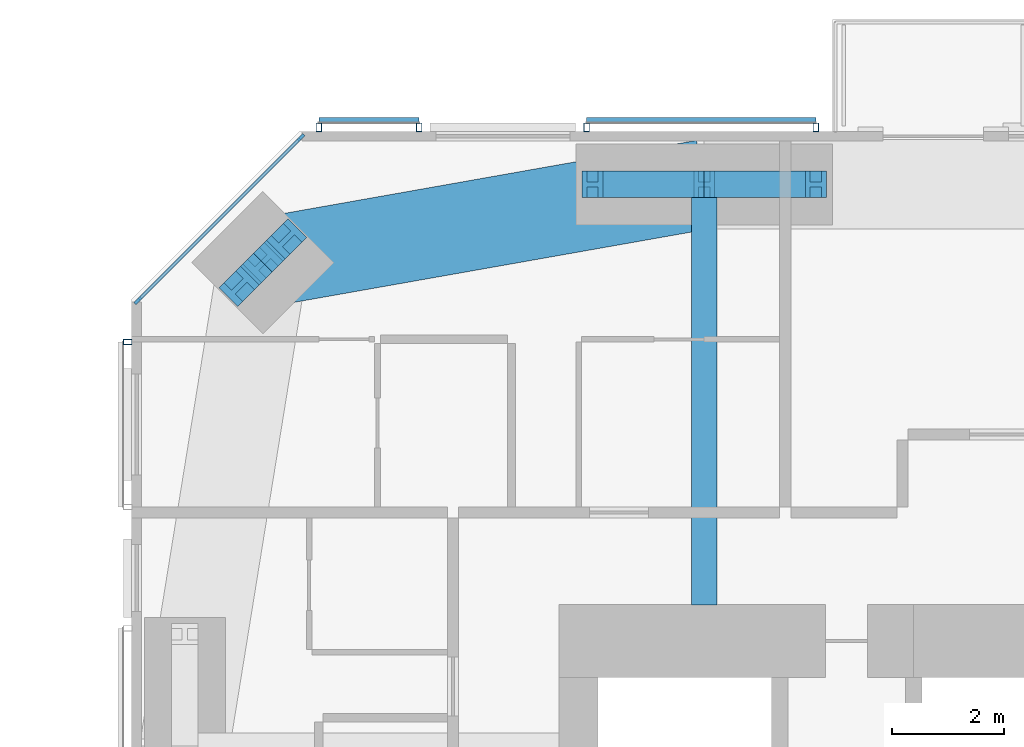
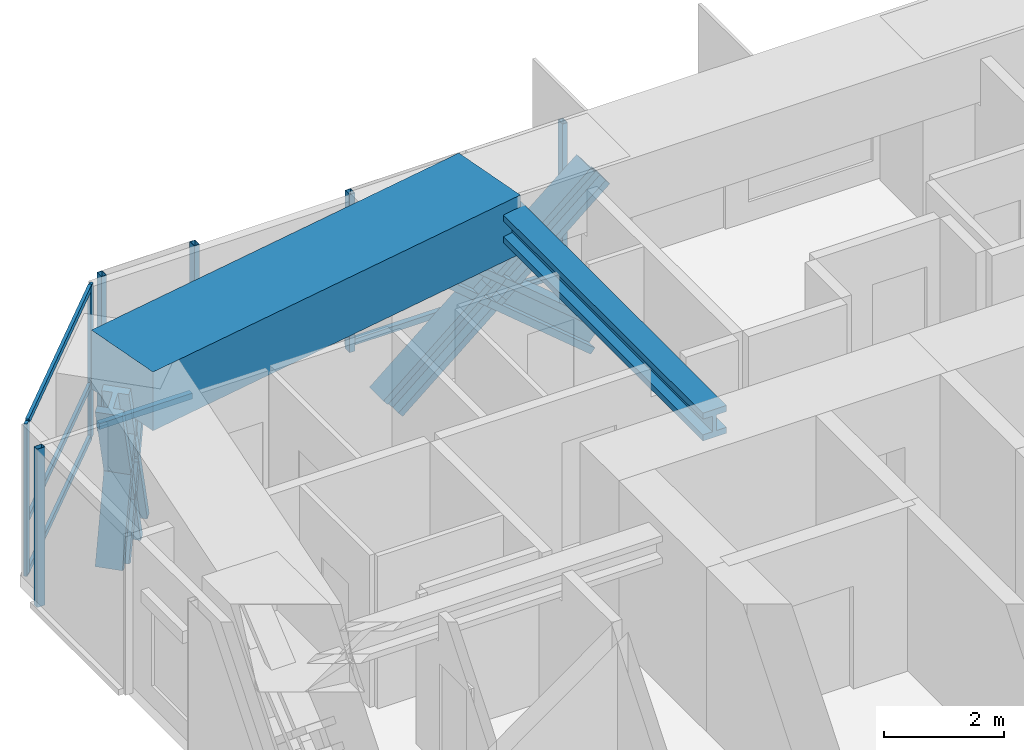
# One storey, part 10 of 23: 20 members, 2 beams, 4 elements without a shape of their own.
"""IFC4 building model written with IfcOpenShell, lengths in metres."""

from ifc_helpers import new_model, si_unit, direction, frame, origin, origin_2d, place, context, subcontext, project, spatial, rectangle, hollow_rectangle, i_section, extrude, material, material_profile, profile_set, type_object, element, aggregate, save


model = new_model("IFC4")

# Units and contexts
model_context = context("Model", 3, precision=1e-05, world=origin(), true_north=direction((0.0, 1.0)))
body_context = subcontext(model_context, "Body", "Model", "MODEL_VIEW")
ifc_project = project(units=[si_unit("LENGTHUNIT", "METRE"), si_unit("AREAUNIT", "SQUARE_METRE"), si_unit("VOLUMEUNIT", "CUBIC_METRE"), si_unit("PLANEANGLEUNIT", "RADIAN"), si_unit("MASSUNIT", "GRAM", prefix="KILO")], contexts=[model_context])

# Site, building, storey
site_placement = place(None, origin())
site = spatial("IfcSite", under=ifc_project, at=site_placement, CompositionType="ELEMENT")
building_placement = place(site_placement, origin())
building = spatial("IfcBuilding", under=site, at=building_placement, Name="Jalousie Tower", CompositionType="ELEMENT")
storey_placement = place(building_placement, frame((0.0, 0.0, 167.75)))
storey = spatial("IfcBuildingStorey", under=building, at=storey_placement, Name="L45", CompositionType="ELEMENT", Elevation=167.75)

# Curtain wall, members
ifc_material_1 = material(Name="Aluminium curtain wall", Category="aluminium")
curtain_wall_type_1 = type_object("IfcCurtainWallType", Name="CORNER WINDOW WALL", PredefinedType="USERDEFINED", material=ifc_material_1)
curtain_wall_1_placement = place(storey_placement, origin())
curtain_wall_1 = element("IfcCurtainWall", 1, at=curtain_wall_1_placement, inside=storey, type_object=curtain_wall_type_1, Name="Corner Window Wall L45 6", ObjectType="CORNER WINDOW WALL", PredefinedType="USERDEFINED")
ifc_material_2 = material(Name="Aluminium mullion", Category="aluminium")
ifc_material_profile_1 = material_profile(ifc_material_2, rectangle(XDim=0.06005859375, YDim=0.14990234375, at=origin_2d()), Name="MULLION 60x150")
ifc_profile_set_1 = profile_set([ifc_material_profile_1], Name="Aluminium mullion")
member_type_1 = type_object("IfcMemberType", Name="CORNER WINDOW WALL MULLION", PredefinedType="MULLION", material=ifc_profile_set_1)
member_1_placement = place(storey_placement, frame((15.030029296875, 35.891357421875, 0.0), z_axis=(0.0, 0.0, 1.0), x_axis=(0.707106781187, -0.707106781187, 0.0)))
member_1 = element("IfcMember", 2, at=member_1_placement, type_object=member_type_1, Name="CW-C mullion 1", PredefinedType="MULLION", context=body_context, shape_type="SweptSolid", body=[
    extrude(rectangle(XDim=0.06005859375, YDim=0.14990234375, at=origin_2d()), origin(), (0.0, 0.0, 1.0), 3.110107421875),
])
member_2_placement = place(storey_placement, frame((12.108642578125, 32.969970703125, 0.0), z_axis=(0.0, 0.0, 1.0), x_axis=(0.707106781187, -0.707106781187, 0.0)))
member_2 = element("IfcMember", 3, at=member_2_placement, type_object=member_type_1, Name="CW-C mullion 2", PredefinedType="MULLION", context=body_context, shape_type="SweptSolid", body=[
    extrude(rectangle(XDim=0.06005859375, YDim=0.14990234375, at=origin_2d()), origin(), (0.0, 0.0, 1.0), 3.110107421875),
])
ifc_material_3 = material(Name="Aluminium transom", Category="aluminium")
ifc_material_profile_2 = material_profile(ifc_material_3, rectangle(XDim=0.06005859375, YDim=0.1201171875, at=origin_2d()), Name="TRANSOM 60x120")
ifc_profile_set_2 = profile_set([ifc_material_profile_2], Name="Aluminium transom")
member_type_2 = type_object("IfcMemberType", Name="CORNER WINDOW WALL TRANSOM", PredefinedType="USERDEFINED", material=ifc_profile_set_2)
member_3_placement = place(storey_placement, frame((15.0087890625, 35.8701171875, 0.030029296875), z_axis=(-0.707106781187, -0.707106781187, 0.0), x_axis=(0.707106781187, -0.707106781187, 0.0)))
member_3 = element("IfcMember", 4, at=member_3_placement, type_object=member_type_2, Name="CW-C transom 1.1", ObjectType="TRANSOM", PredefinedType="USERDEFINED", context=body_context, shape_type="SweptSolid", body=[
    extrude(rectangle(XDim=0.06005859375, YDim=0.1201171875, at=origin_2d()), origin(), (0.0, 0.0, 1.0), 4.0712890625),
])
member_4_placement = place(storey_placement, frame((15.0087890625, 35.8701171875, 1.10009765625), z_axis=(-0.707106781187, -0.707106781187, 0.0), x_axis=(0.707106781187, -0.707106781187, 0.0)))
member_4 = element("IfcMember", 5, at=member_4_placement, type_object=member_type_2, Name="CW-C transom 1.2", ObjectType="TRANSOM", PredefinedType="USERDEFINED", context=body_context, shape_type="SweptSolid", body=[
    extrude(rectangle(XDim=0.06005859375, YDim=0.1201171875, at=origin_2d()), origin(), (0.0, 0.0, 1.0), 4.0712890625),
])
member_5_placement = place(storey_placement, frame((15.0087890625, 35.8701171875, 3.080078125), z_axis=(-0.707106781187, -0.707106781187, 0.0), x_axis=(0.707106781187, -0.707106781187, 0.0)))
member_5 = element("IfcMember", 6, at=member_5_placement, type_object=member_type_2, Name="CW-C transom 1.3", ObjectType="TRANSOM", PredefinedType="USERDEFINED", context=body_context, shape_type="SweptSolid", body=[
    extrude(rectangle(XDim=0.06005859375, YDim=0.1201171875, at=origin_2d()), origin(), (0.0, 0.0, 1.0), 4.0712890625),
])
aggregate(curtain_wall_1, [member_1, member_2, member_3, member_4, member_5])

# Beam
ifc_material_4 = material(Name="Steel ASTM A992 Grade 50", Category="steel")
ifc_material_profile_3 = material_profile(ifc_material_4, i_section(OverallWidth=0.45458984375, OverallDepth=0.569091796875, WebThickness=0.077880859375, FlangeThickness=0.124755859375, at=origin_2d()), Name="W14X730")
ifc_profile_set_3 = profile_set([ifc_material_profile_3], Name="Steel ASTM A992 Grade 50")
beam_type_1 = type_object("IfcBeamType", Name="LEAN COLLECTOR W14X730", PredefinedType="BEAM", material=ifc_profile_set_3)
beam_1_placement = place(storey_placement, frame((22.25, 35.050048828125, 2.825439453125), z_axis=(0.0, -1.0, 0.0), x_axis=(1.0, 0.0, 0.0)))
element("IfcBeam", 7, at=beam_1_placement, inside=storey, type_object=beam_type_1, Name="Lean collector under L46", PredefinedType="BEAM", context=body_context, shape_type="SweptSolid", body=[
    extrude(i_section(OverallWidth=0.45458984375, OverallDepth=0.569091796875, WebThickness=0.077880859375, FlangeThickness=0.124755859375, at=origin_2d()), origin(), (0.0, 0.0, 1.0), 7.525146484375),
])

# Members
ifc_material_5 = material(Name="Steel ASTM A992 Grade 50", Category="steel")
ifc_material_profile_4 = material_profile(ifc_material_5, i_section(OverallWidth=0.472412109375, OverallDepth=0.5791015625, WebThickness=0.094970703125, FlangeThickness=0.1298828125, at=origin_2d()), Name="W14X808")
ifc_profile_set_4 = profile_set([ifc_material_profile_4], Name="Steel ASTM A992 Grade 50")
member_type_3 = type_object("IfcMemberType", Name="PERIMETER BRACE W14X808", PredefinedType="BRACE", material=ifc_profile_set_4)
for number, where, z_axis, x_axis, name in (
    (8, (20.25, 35.050048828125, -0.60009765625), (0.766638753323, 0.0, 0.642078672674), (0.0, 1.0, 0.0), "Perimeter brace 11 L45 part 1"),
    (9, (22.25, 35.050048828125, 1.074951171875), (0.766638753323, 0.0, 0.642078672674), (0.0, 1.0, 0.0), "Perimeter brace 11 L45 part 2"),
    (10, (24.25, 35.050048828125, -0.60009765625), (-0.766638753323, 0.0, 0.642078672674), (0.0, -1.0, 0.0), "Perimeter brace 11 L45 part 3"),
    (11, (22.25, 35.050048828125, 1.074951171875), (-0.766638753323, 0.0, 0.642078672674), (0.0, -1.0, 0.0), "Perimeter brace 11 L45 part 4"),
):
    element("IfcMember", number, at=place(storey_placement, frame(where, z_axis=z_axis, x_axis=x_axis)), inside=storey, type_object=member_type_3, Name=name, PredefinedType="BRACE", context=body_context, shape_type="SweptSolid", body=[
        extrude(i_section(OverallWidth=0.472412109375, OverallDepth=0.5791015625, WebThickness=0.094970703125, FlangeThickness=0.1298828125, at=origin_2d()), origin(), (0.0, 0.0, 1.0), 2.60888671875),
    ])
for number, where, z_axis, x_axis, name in (
    (12, (14.772705078125, 34.07568359375, -0.60009765625), (-0.238482757655, -0.238345540878, 0.941444303953), (0.706903267951, -0.707310235866, 0.0), "Perimeter brace 12 L45 part 1"),
    (13, (14.348388671875, 33.651611328125, 1.074951171875), (-0.238345540878, -0.238482757655, 0.941444303953), (0.707310235866, -0.706903267951, 0.0), "Perimeter brace 12 L45 part 2"),
    (14, (13.92431640625, 33.227294921875, -0.60009765625), (0.238345540878, 0.238482757655, 0.941444303953), (-0.707310235866, 0.706903267951, 0.0), "Perimeter brace 12 L45 part 3"),
    (15, (14.348388671875, 33.651611328125, 1.074951171875), (0.238482757655, 0.238345540878, 0.941444303953), (-0.706903267951, 0.707310235866, 0.0), "Perimeter brace 12 L45 part 4"),
):
    element("IfcMember", number, at=place(storey_placement, frame(where, z_axis=z_axis, x_axis=x_axis)), inside=storey, type_object=member_type_3, Name=name, PredefinedType="BRACE", context=body_context, shape_type="SweptSolid", body=[
        extrude(i_section(OverallWidth=0.472412109375, OverallDepth=0.5791015625, WebThickness=0.094970703125, FlangeThickness=0.1298828125, at=origin_2d()), origin(), (0.0, 0.0, 1.0), 1.779296875),
    ])

# Beam
ifc_material_6 = material(Name="Concrete f'c 40 MPa", Category="concrete")
ifc_material_profile_5 = material_profile(ifc_material_6, rectangle(XDim=1.60009765625, YDim=1.199951171875, at=origin_2d()), Name="RC 1600x1200")
ifc_profile_set_5 = profile_set([ifc_material_profile_5], Name="Concrete f'c 40 MPa")
beam_type_2 = type_object("IfcBeamType", Name="RC BEAM 1600x1200", PredefinedType="BEAM", material=ifc_profile_set_5)
beam_2_placement = place(storey_placement, frame((22.25, 35.050048828125, 2.75), z_axis=(-0.984697370688, -0.174273027632, 0.0), x_axis=(0.174273027632, -0.984697370688, 0.0)))
element("IfcBeam", 16, at=beam_2_placement, inside=storey, type_object=beam_type_2, Name="Edge band beam 11-12 under L46", PredefinedType="BEAM", context=body_context, shape_type="SweptSolid", body=[
    extrude(rectangle(XDim=1.60009765625, YDim=1.199951171875, at=origin_2d()), origin(), (0.0, 0.0, 1.0), 8.0244140625),
])

# Curtain wall, members
ifc_material_7 = material(Name="Perforated aluminium sheet", Category="aluminium")
curtain_wall_type_2 = type_object("IfcCurtainWallType", Name="SOLAR SCREEN SS-1", PredefinedType="USERDEFINED", material=ifc_material_7)
curtain_wall_2_placement = place(storey_placement, origin())
curtain_wall_2 = element("IfcCurtainWall", 17, at=curtain_wall_2_placement, inside=storey, type_object=curtain_wall_type_2, Name="Solar screen L45", ObjectType="SOLAR SCREEN SS-1", PredefinedType="USERDEFINED")
ifc_material_8 = material(Name="Steel ASTM A500 Grade C", Category="steel")
ifc_material_profile_6 = material_profile(ifc_material_8, hollow_rectangle(XDim=0.1015625, YDim=0.15234375, WallThickness=0.00634765625, at=origin_2d()), Name="HSS6X4X1/4")
ifc_profile_set_6 = profile_set([ifc_material_profile_6], Name="Steel ASTM A500 Grade C")
member_type_4 = type_object("IfcMemberType", Name="SOLAR SCREEN SS-1 MULLION", PredefinedType="MULLION", material=ifc_profile_set_6)
member_6_placement = place(storey_placement, frame((24.25, 36.0712890625, -0.1201171875), z_axis=(0.0, 0.0, 1.0), x_axis=(-1.0, 0.0, 0.0)))
member_6 = element("IfcMember", 18, at=member_6_placement, type_object=member_type_4, Name="SS1 post 1", PredefinedType="MULLION", context=body_context, shape_type="SweptSolid", body=[
    extrude(hollow_rectangle(XDim=0.1015625, YDim=0.15234375, WallThickness=0.00634765625, at=origin_2d()), origin(), (0.0, 0.0, 1.0), 3.230224609375),
])
member_7_placement = place(storey_placement, frame((20.14453125, 36.0712890625, -0.1201171875), z_axis=(0.0, 0.0, 1.0), x_axis=(-1.0, 0.0, 0.0)))
member_7 = element("IfcMember", 19, at=member_7_placement, type_object=member_type_4, Name="SS1 post 2", PredefinedType="MULLION", context=body_context, shape_type="SweptSolid", body=[
    extrude(hollow_rectangle(XDim=0.1015625, YDim=0.15234375, WallThickness=0.00634765625, at=origin_2d()), origin(), (0.0, 0.0, 1.0), 3.230224609375),
])

curtain_wall_3_placement = place(storey_placement, origin())
curtain_wall_3 = element("IfcCurtainWall", 20, at=curtain_wall_3_placement, inside=storey, type_object=curtain_wall_type_2, Name="Solar screen L45", ObjectType="SOLAR SCREEN SS-1", PredefinedType="USERDEFINED")
member_8_placement = place(storey_placement, frame((17.14453125, 36.0712890625, -0.1201171875), z_axis=(0.0, 0.0, 1.0), x_axis=(-1.0, 0.0, 0.0)))
member_8 = element("IfcMember", 21, at=member_8_placement, type_object=member_type_4, Name="SS1 post 1", PredefinedType="MULLION", context=body_context, shape_type="SweptSolid", body=[
    extrude(hollow_rectangle(XDim=0.1015625, YDim=0.15234375, WallThickness=0.00634765625, at=origin_2d()), origin(), (0.0, 0.0, 1.0), 3.230224609375),
])
member_9_placement = place(storey_placement, frame((15.351318359375, 36.0712890625, -0.1201171875), z_axis=(0.0, 0.0, 1.0), x_axis=(-1.0, 0.0, 0.0)))
member_9 = element("IfcMember", 22, at=member_9_placement, type_object=member_type_4, Name="SS1 post 2", PredefinedType="MULLION", context=body_context, shape_type="SweptSolid", body=[
    extrude(hollow_rectangle(XDim=0.1015625, YDim=0.15234375, WallThickness=0.00634765625, at=origin_2d()), origin(), (0.0, 0.0, 1.0), 3.230224609375),
])

# Curtain wall, member
curtain_wall_4_placement = place(storey_placement, origin())
curtain_wall_4 = element("IfcCurtainWall", 23, at=curtain_wall_4_placement, inside=storey, type_object=curtain_wall_type_2, Name="Solar screen L45", ObjectType="SOLAR SCREEN SS-1", PredefinedType="USERDEFINED")
member_10_placement = place(storey_placement, frame((11.9287109375, 32.228759765625, -0.1201171875), z_axis=(0.0, 0.0, 1.0), x_axis=(0.0, -1.0, 0.0)))
member_10 = element("IfcMember", 24, at=member_10_placement, type_object=member_type_4, Name="SS1 post 1", PredefinedType="MULLION", context=body_context, shape_type="SweptSolid", body=[
    extrude(hollow_rectangle(XDim=0.1015625, YDim=0.15234375, WallThickness=0.00634765625, at=origin_2d()), origin(), (0.0, 0.0, 1.0), 3.230224609375),
])
aggregate(curtain_wall_4, [member_10])

# Member
ifc_material_9 = material(Name="Extruded aluminium screen rail", Category="aluminium")
ifc_material_profile_7 = material_profile(ifc_material_9, rectangle(XDim=0.1015625, YDim=0.1201171875, at=origin_2d()), Name="RAIL 102x120")
ifc_profile_set_7 = profile_set([ifc_material_profile_7], Name="Extruded aluminium screen rail")
member_type_5 = type_object("IfcMemberType", Name="SOLAR SCREEN SS-1 TRANSOM", PredefinedType="USERDEFINED", material=ifc_profile_set_7)
member_11_placement = place(storey_placement, frame((24.25, 36.1982421875, -0.06005859375), z_axis=(-1.0, 0.0, 0.0), x_axis=(0.0, -1.0, 0.0)))
member_11 = element("IfcMember", 25, at=member_11_placement, type_object=member_type_5, Name="SS1 rail", ObjectType="TRANSOM", PredefinedType="USERDEFINED", context=body_context, shape_type="SweptSolid", body=[
    extrude(rectangle(XDim=0.1015625, YDim=0.1201171875, at=origin_2d()), origin(), (0.0, 0.0, 1.0), 4.10546875),
])

aggregate(curtain_wall_2, [member_6, member_7, member_11])

member_12_placement = place(storey_placement, frame((17.14453125, 36.1982421875, -0.06005859375), z_axis=(-1.0, 0.0, 0.0), x_axis=(0.0, -1.0, 0.0)))
member_12 = element("IfcMember", 26, at=member_12_placement, type_object=member_type_5, Name="SS1 rail", ObjectType="TRANSOM", PredefinedType="USERDEFINED", context=body_context, shape_type="SweptSolid", body=[
    extrude(rectangle(XDim=0.1015625, YDim=0.1201171875, at=origin_2d()), origin(), (0.0, 0.0, 1.0), 1.793212890625),
])

aggregate(curtain_wall_3, [member_8, member_9, member_12])

save(model, "model.ifc")
